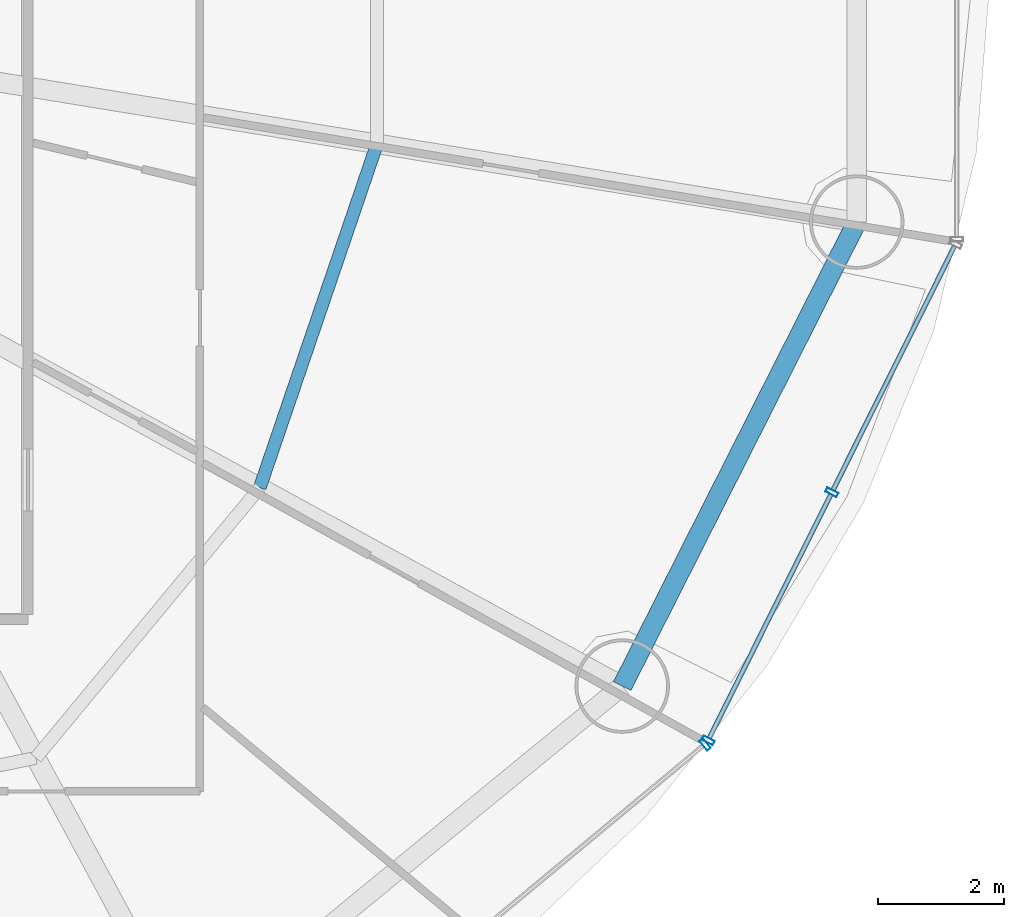
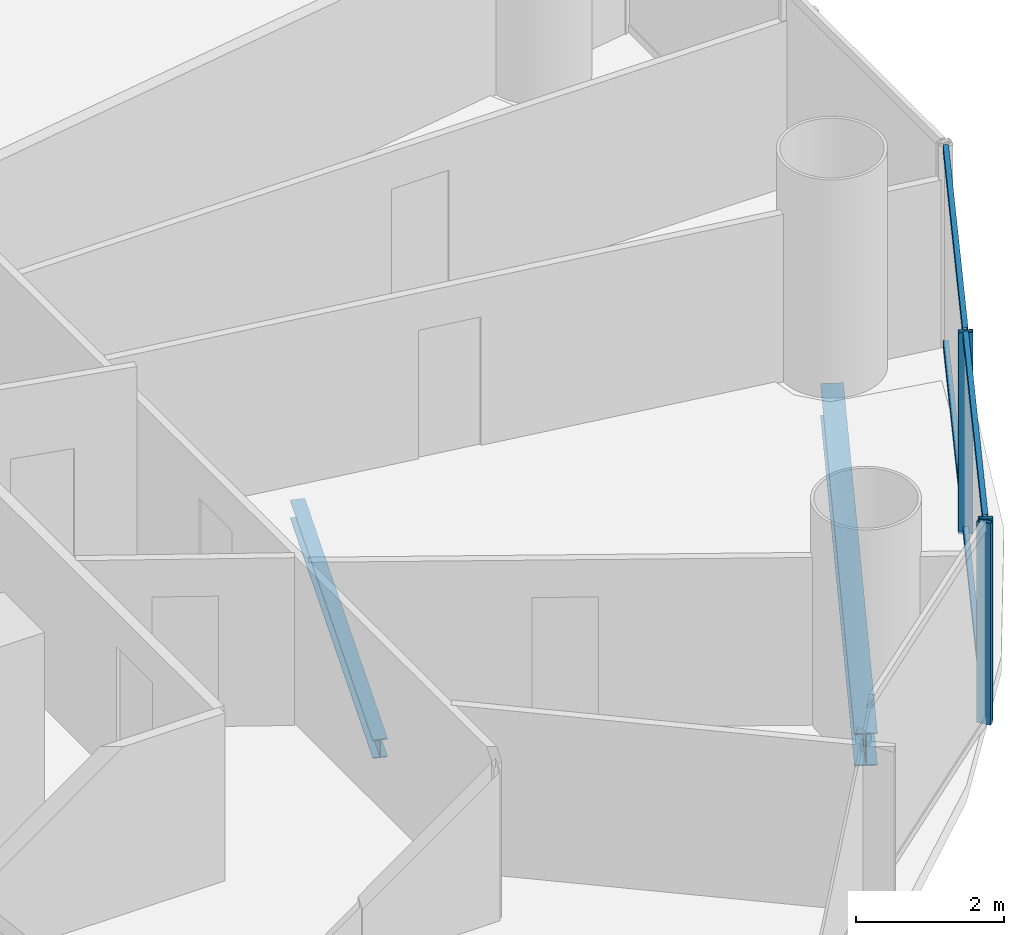
# One storey, part 13 of 29: 7 members, 2 beams, 2 elements without a shape of their own.
"""IFC4 building model written with IfcOpenShell, lengths in metres."""

from ifc_helpers import new_model, si_unit, direction, frame, origin, origin_2d, place, context, subcontext, project, spatial, hollow_rectangle, i_section, extrude, source, transform, mapped, material, material_profile, profile_set, type_object, element, aggregate, save


model = new_model("IFC4")

# Units and contexts
model_context = context("Model", 3, precision=1e-05, world=origin(), true_north=direction((-0.2419218956, 0.970295726276)))
body_context = subcontext(model_context, "Body", "Model", "MODEL_VIEW")
ifc_project = project(units=[si_unit("LENGTHUNIT", "METRE"), si_unit("AREAUNIT", "SQUARE_METRE"), si_unit("VOLUMEUNIT", "CUBIC_METRE"), si_unit("PLANEANGLEUNIT", "RADIAN"), si_unit("MASSUNIT", "GRAM", prefix="KILO")], contexts=[model_context])

# Site, building, storey
site_placement = place(None, origin())
site = spatial("IfcSite", under=ifc_project, at=site_placement, CompositionType="ELEMENT")
building_placement = place(site_placement, origin())
building = spatial("IfcBuilding", under=site, at=building_placement, Name="Cobrevalo Terracotta Tower", CompositionType="ELEMENT")
storey_placement = place(building_placement, frame((0.0, 0.0, 79.800048828125)))
storey = spatial("IfcBuildingStorey", under=building, at=storey_placement, Name="L20", CompositionType="ELEMENT", Elevation=79.800048828125)

# Beams
ifc_material_1 = material(Name="Steel S355", Category="steel")
ifc_material_profile_1 = material_profile(ifc_material_1, i_section(OverallWidth=0.2041015625, OverallDepth=0.305908203125, WebThickness=0.008544921875, FlangeThickness=0.0146484375, at=origin_2d()), Name="W 310x67")
ifc_profile_set_1 = profile_set([ifc_material_profile_1], Name="Steel S355")
beam_type_1 = type_object("IfcBeamType", Name="Structural Joist W 310x67 (Steel S355)", PredefinedType="JOIST", material=ifc_profile_set_1)
beam_1_placement = place(storey_placement, frame((52.987548828125, 18.591796875, -0.427978515625), z_axis=(0.322846227919, 0.946451431991, 0.0), x_axis=(-0.946451431991, 0.322846227919, 0.0)))
element("IfcBeam", 1, at=beam_1_placement, inside=storey, type_object=beam_type_1, Name="L20 circumferential secondary floor joist 15", PredefinedType="JOIST", context=body_context, shape_type="SweptSolid", body=[
    extrude(i_section(OverallWidth=0.2041015625, OverallDepth=0.305908203125, WebThickness=0.008544921875, FlangeThickness=0.0146484375, at=origin_2d()), origin(), (0.0, 0.0, 1.0), 5.77001953125),
])
ifc_material_profile_2 = material_profile(ifc_material_1, i_section(OverallWidth=0.31201171875, OverallDepth=0.54296875, WebThickness=0.0126953125, FlangeThickness=0.020263671875, at=origin_2d()), Name="W 530x150")
ifc_profile_set_2 = profile_set([ifc_material_profile_2], Name="Steel S355")
beam_type_2 = type_object("IfcBeamType", Name="Structural Spandrel W 530x150 (Steel S355)", PredefinedType="SPANDREL", material=ifc_profile_set_2)
beam_2_placement = place(storey_placement, frame((58.7451171875, 15.4384765625, -0.546630859375), z_axis=(0.451051982172, 0.892497680321, 0.0), x_axis=(-0.892497680321, 0.451051982172, 0.0)))
element("IfcBeam", 2, at=beam_2_placement, inside=storey, type_object=beam_type_2, Name="L20 perimeter ring spandrel 15", PredefinedType="SPANDREL", context=body_context, shape_type="SweptSolid", body=[
    extrude(i_section(OverallWidth=0.31201171875, OverallDepth=0.54296875, WebThickness=0.0126953125, FlangeThickness=0.020263671875, at=origin_2d()), origin(), (0.0, 0.0, 1.0), 8.259765625),
])

# Curtain wall, member
ifc_material_2 = material(Name="Anodized aluminium", Category="aluminium")
curtain_wall_type = type_object("IfcCurtainWallType", Name="Lower-tower unitised acoustic low-E curtain wall CW-U1", PredefinedType="NOTDEFINED", material=ifc_material_2)
curtain_wall_1_placement = place(storey_placement, origin())
curtain_wall_1 = element("IfcCurtainWall", 3, at=curtain_wall_1_placement, inside=storey, type_object=curtain_wall_type, Name="L20 curtain wall CW-L20-S14", PredefinedType="NOTDEFINED")
ifc_material_profile_3 = material_profile(ifc_material_2, hollow_rectangle(XDim=0.074951171875, YDim=0.199951171875, WallThickness=0.0048828125, at=origin_2d()), Name="CWM 75x200")
ifc_profile_set_3 = profile_set([ifc_material_profile_3], Name="Anodized aluminium")
member_type_1 = type_object("IfcMemberType", Name="Lower/mid tower unitised mullion 75x200", PredefinedType="MULLION", material=ifc_profile_set_3)
shared_shape_1 = source(origin(), body_context, "Body", "SweptSolid", [
    extrude(hollow_rectangle(XDim=0.074951171875, YDim=0.199951171875, WallThickness=0.0048828125, at=origin_2d()), origin(), (0.0, 0.0, 1.0), 3.324951171875),
])
member_1_placement = place(storey_placement, frame((60.061279296875, 14.512939453125, 0.0), z_axis=(0.0, 0.0, 1.0), x_axis=(0.769243451658, 0.638955798222, 0.0)))
member_1 = element("IfcMember", 4, at=member_1_placement, type_object=member_type_1, Name="CW-L20-S14 vertical mullion 03", PredefinedType="MULLION", context=body_context, shape_type="MappedRepresentation", body=[
    mapped(shared_shape_1, transform((0.0, 0.0, 0.0), scale=1.0)),
])
aggregate(curtain_wall_1, [member_1])

# Curtain wall, members
curtain_wall_2_placement = place(storey_placement, origin())
curtain_wall_2 = element("IfcCurtainWall", 5, at=curtain_wall_2_placement, inside=storey, type_object=curtain_wall_type, Name="L20 curtain wall CW-L20-S15", PredefinedType="NOTDEFINED")
member_2_placement = place(storey_placement, frame((60.110107421875, 14.574462890625, 0.0), z_axis=(0.0, 0.0, 1.0), x_axis=(0.446260290227, 0.894903208937, 0.0)))
member_2 = element("IfcMember", 6, at=member_2_placement, type_object=member_type_1, Name="CW-L20-S15 vertical mullion 01", PredefinedType="MULLION", context=body_context, shape_type="MappedRepresentation", body=[
    mapped(shared_shape_1, transform((0.0, 0.0, 0.0), scale=1.0)),
])
member_3_placement = place(storey_placement, frame((62.075927734375, 18.516357421875, 0.0), z_axis=(0.0, 0.0, 1.0), x_axis=(0.446260290227, 0.894903208937, 0.0)))
member_3 = element("IfcMember", 7, at=member_3_placement, type_object=member_type_1, Name="CW-L20-S15 vertical mullion 02", PredefinedType="MULLION", context=body_context, shape_type="MappedRepresentation", body=[
    mapped(shared_shape_1, transform((0.0, 0.0, 0.0), scale=1.0)),
])
ifc_material_profile_4 = material_profile(ifc_material_2, hollow_rectangle(XDim=0.074951171875, YDim=0.14990234375, WallThickness=0.00439453125, at=origin_2d()), Name="CWT 75x150")
ifc_profile_set_4 = profile_set([ifc_material_profile_4], Name="Anodized aluminium")
member_type_2 = type_object("IfcMemberType", Name="Tower unitised aluminium transom 75x150", PredefinedType="USERDEFINED", material=ifc_profile_set_4)
shared_shape_2 = source(origin(), body_context, "Body", "SweptSolid", [
    extrude(hollow_rectangle(XDim=0.074951171875, YDim=0.14990234375, WallThickness=0.00439453125, at=origin_2d()), origin(), (0.0, 0.0, 1.0), 4.324951171875),
])
member_4_placement = place(storey_placement, frame((60.1279296875, 14.610107421875, 0.050048828125), z_axis=(0.446219838389, 0.894923379864, 0.0), x_axis=(-0.894923379864, 0.446219838389, 0.0)))
member_4 = element("IfcMember", 8, at=member_4_placement, type_object=member_type_2, Name="CW-L20-S15 transom B01-T1", ObjectType="TRANSOM", PredefinedType="USERDEFINED", context=body_context, shape_type="MappedRepresentation", body=[
    mapped(shared_shape_2, transform((0.0, 0.0, 0.0), scale=1.0)),
])
member_5_placement = place(storey_placement, frame((60.1279296875, 14.610107421875, 3.27490234375), z_axis=(0.446219838389, 0.894923379864, 0.0), x_axis=(-0.894923379864, 0.446219838389, 0.0)))
member_5 = element("IfcMember", 9, at=member_5_placement, type_object=member_type_2, Name="CW-L20-S15 transom B01-T2", ObjectType="TRANSOM", PredefinedType="USERDEFINED", context=body_context, shape_type="MappedRepresentation", body=[
    mapped(shared_shape_2, transform((0.0, 0.0, 0.0), scale=1.0)),
])
member_6_placement = place(storey_placement, frame((62.09375, 18.55224609375, 0.050048828125), z_axis=(0.446219838389, 0.894923379864, 0.0), x_axis=(-0.894923379864, 0.446219838389, 0.0)))
member_6 = element("IfcMember", 10, at=member_6_placement, type_object=member_type_2, Name="CW-L20-S15 transom B02-T1", ObjectType="TRANSOM", PredefinedType="USERDEFINED", context=body_context, shape_type="MappedRepresentation", body=[
    mapped(shared_shape_2, transform((0.0, 0.0, 0.0), scale=1.0)),
])
member_7_placement = place(storey_placement, frame((62.09375, 18.55224609375, 3.27490234375), z_axis=(0.446219838389, 0.894923379864, 0.0), x_axis=(-0.894923379864, 0.446219838389, 0.0)))
member_7 = element("IfcMember", 11, at=member_7_placement, type_object=member_type_2, Name="CW-L20-S15 transom B02-T2", ObjectType="TRANSOM", PredefinedType="USERDEFINED", context=body_context, shape_type="MappedRepresentation", body=[
    mapped(shared_shape_2, transform((0.0, 0.0, 0.0), scale=1.0)),
])
aggregate(curtain_wall_2, [member_2, member_3, member_4, member_5, member_6, member_7])

save(model, "model.ifc")
